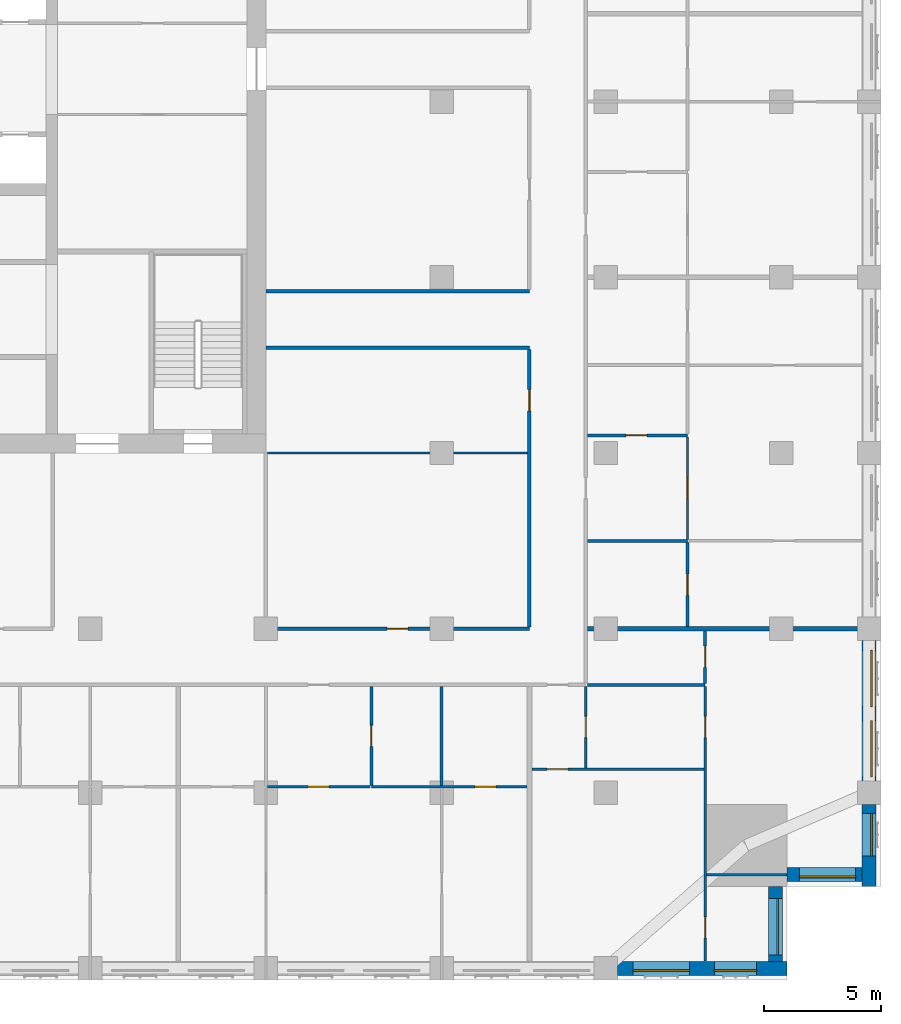
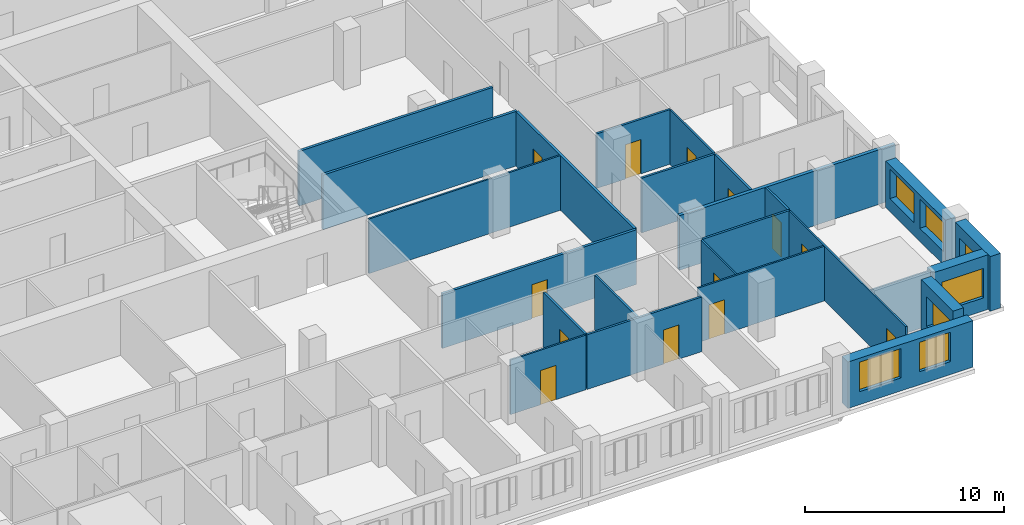
# One storey, part 6 of 13: 25 walls, 13 doors, 7 windows, 20 openings.
"""IFC4 building model written with IfcOpenShell, lengths in metres."""

from ifc_helpers import new_model, si_unit, direction, frame, frame_2d, origin, place, context, subcontext, project, spatial, rectangle, extrude, material, layer, layer_set, type_object, element, fill, save


model = new_model("IFC4")

# Units and contexts
model_context = context("Model", 3, precision=1e-05, world=origin(), true_north=direction((0.0, 1.0)))
body_context = subcontext(model_context, "Body", "Model", "MODEL_VIEW")
ifc_project = project(units=[si_unit("LENGTHUNIT", "METRE"), si_unit("AREAUNIT", "SQUARE_METRE"), si_unit("VOLUMEUNIT", "CUBIC_METRE"), si_unit("PLANEANGLEUNIT", "RADIAN"), si_unit("MASSUNIT", "GRAM", prefix="KILO")], contexts=[model_context])

# Site, building, storey
site_placement = place(None, origin())
site = spatial("IfcSite", under=ifc_project, at=site_placement, CompositionType="ELEMENT")
building_placement = place(site_placement, origin())
building = spatial("IfcBuilding", under=site, at=building_placement, Name="Tamorin Gate", CompositionType="ELEMENT")
storey_placement = place(building_placement, frame((0.0, 0.0, 130.199951171875)))
storey = spatial("IfcBuildingStorey", under=building, at=storey_placement, Name="L31", CompositionType="ELEMENT", Elevation=130.199951171875)

# Wall, openings, windows
ifc_material_1 = material(Name="Precast concrete C40/50", Category="concrete")
ifc_layer_1 = layer(ifc_material_1, 0.60009765625)
ifc_layer_set_1 = layer_set([ifc_layer_1], Name="Precast concrete C40/50")
wall_type_1 = type_object("IfcWallType", Name="Board-marked concrete facade panel 600", PredefinedType="SOLIDWALL", material=ifc_layer_set_1)
wall_1_placement = place(storey_placement, frame((75.0, 38.0, 0.0), z_axis=(0.0, 0.0, 1.0), x_axis=(1.0, 0.0, 0.0)))
wall_1 = element("IfcWall", 1, at=wall_1_placement, inside=storey, type_object=wall_type_1, Name="Facade panel", PredefinedType="SOLIDWALL", context=body_context, shape_type="SweptSolid", body=[
    extrude(rectangle(XDim=7.25, YDim=0.60009765625, at=frame_2d((3.625, 0.0))), origin(), (0.0, 0.0, 1.0), 2.85009765625),
])
opening_1_placement = place(wall_1_placement, frame((0.675048828125, 0.0, 0.800048828125)))
opening_1 = element("IfcOpeningElement", 2, at=opening_1_placement, cuts=wall_1, Name="Opening WN1", PredefinedType="OPENING", context=body_context, shape_type="SweptSolid", body=[
    extrude(rectangle(XDim=2.39990234375, YDim=1.800048828125, at=frame_2d((1.199951171875, 0.89990234375))), frame((0.0, 0.31005859375, 0.0), z_axis=(0.0, -1.0, 0.0), x_axis=(1.0, 0.0, 0.0)), (0.0, 0.0, 1.0), 0.6201171875),
])
opening_2_placement = place(wall_1_placement, frame((4.14990234375, 0.0, 0.800048828125)))
opening_2 = element("IfcOpeningElement", 3, at=opening_2_placement, cuts=wall_1, Name="Opening WN2", PredefinedType="OPENING", context=body_context, shape_type="SweptSolid", body=[
    extrude(rectangle(XDim=1.800048828125, YDim=1.800048828125, at=frame_2d((0.89990234375, 0.89990234375))), frame((0.0, 0.31005859375, 0.0), z_axis=(0.0, -1.0, 0.0), x_axis=(1.0, 0.0, 0.0)), (0.0, 0.0, 1.0), 0.6201171875),
])
ifc_material_2 = material(Name="Clear glass in aluminium frame", Category="aluminium")
window_type_1 = type_object("IfcWindowType", Name="Deep-set window 1800x1800", PartitioningType="SINGLE_PANEL", PredefinedType="WINDOW", material=ifc_material_2)
window_1_placement = place(opening_2_placement, origin())
window_1 = element("IfcWindow", 4, at=window_1_placement, inside=storey, type_object=window_type_1, Name="Deep-set window", OverallHeight=1.800048828125, OverallWidth=1.800048828125, PartitioningType="SINGLE_PANEL", PredefinedType="WINDOW", context=body_context, shape_type="SweptSolid", body=[
    extrude(rectangle(XDim=1.800048828125, YDim=1.800048828125, at=frame_2d((0.89990234375, 0.89990234375))), frame((0.0, -0.070068359375, 0.0), z_axis=(0.0, -1.0, 0.0), x_axis=(1.0, 0.0, 0.0)), (0.0, 0.0, 1.0), 0.06005859375),
])
fill(opening_2, window_1)
window_type_2 = type_object("IfcWindowType", Name="Deep-set window 2400x1800", PartitioningType="SINGLE_PANEL", PredefinedType="WINDOW", material=ifc_material_2)
window_2_placement = place(opening_1_placement, origin())
window_2 = element("IfcWindow", 5, at=window_2_placement, inside=storey, type_object=window_type_2, Name="Deep-set window", OverallHeight=1.800048828125, OverallWidth=2.39990234375, PartitioningType="SINGLE_PANEL", PredefinedType="WINDOW", context=body_context, shape_type="SweptSolid", body=[
    extrude(rectangle(XDim=2.39990234375, YDim=1.800048828125, at=frame_2d((1.199951171875, 0.89990234375))), frame((0.0, -0.070068359375, 0.0), z_axis=(0.0, -1.0, 0.0), x_axis=(1.0, 0.0, 0.0)), (0.0, 0.0, 1.0), 0.06005859375),
])
fill(opening_1, window_2)

# Wall, opening, window
wall_2_placement = place(storey_placement, frame((81.75, 38.300048828125, 0.0), z_axis=(0.0, 0.0, 1.0), x_axis=(0.0, 1.0, 0.0)))
wall_2 = element("IfcWall", 6, at=wall_2_placement, inside=storey, type_object=wall_type_1, Name="Facade panel", PredefinedType="SOLIDWALL", context=body_context, shape_type="SweptSolid", body=[
    extrude(rectangle(XDim=3.199951171875, YDim=0.60009765625, at=frame_2d((1.60009765625, 0.0))), origin(), (0.0, 0.0, 1.0), 3.35009765625),
])
opening_3_placement = place(wall_2_placement, frame((0.27490234375, 0.0, 0.800048828125)))
opening_3 = element("IfcOpeningElement", 7, at=opening_3_placement, cuts=wall_2, Name="Opening WN1", PredefinedType="OPENING", context=body_context, shape_type="SweptSolid", body=[
    extrude(rectangle(XDim=2.39990234375, YDim=1.800048828125, at=frame_2d((1.199951171875, 0.89990234375))), frame((0.0, 0.31005859375, 0.0), z_axis=(0.0, -1.0, 0.0), x_axis=(1.0, 0.0, 0.0)), (0.0, 0.0, 1.0), 0.6201171875),
])
window_3_placement = place(opening_3_placement, origin())
window_3 = element("IfcWindow", 8, at=window_3_placement, inside=storey, type_object=window_type_2, Name="Deep-set window", OverallHeight=1.800048828125, OverallWidth=2.39990234375, PartitioningType="SINGLE_PANEL", PredefinedType="WINDOW", context=body_context, shape_type="SweptSolid", body=[
    extrude(rectangle(XDim=2.39990234375, YDim=1.800048828125, at=frame_2d((1.199951171875, 0.89990234375))), frame((0.0, -0.070068359375, 0.0), z_axis=(0.0, -1.0, 0.0), x_axis=(1.0, 0.0, 0.0)), (0.0, 0.0, 1.0), 0.06005859375),
])
fill(opening_3, window_3)

wall_3_placement = place(storey_placement, frame((82.25, 42.0, 0.0), z_axis=(0.0, 0.0, 1.0), x_axis=(1.0, 0.0, 0.0)))
wall_3 = element("IfcWall", 9, at=wall_3_placement, inside=storey, type_object=wall_type_1, Name="Facade panel", PredefinedType="SOLIDWALL", context=body_context, shape_type="SweptSolid", body=[
    extrude(rectangle(XDim=3.199951171875, YDim=0.60009765625, at=frame_2d((1.60009765625, 0.0))), origin(), (0.0, 0.0, 1.0), 3.35009765625),
])
opening_4_placement = place(wall_3_placement, frame((0.52490234375, 0.0, 0.800048828125)))
opening_4 = element("IfcOpeningElement", 10, at=opening_4_placement, cuts=wall_3, Name="Opening WN1", PredefinedType="OPENING", context=body_context, shape_type="SweptSolid", body=[
    extrude(rectangle(XDim=2.39990234375, YDim=1.800048828125, at=frame_2d((1.199951171875, 0.89990234375))), frame((0.0, 0.31005859375, 0.0), z_axis=(0.0, -1.0, 0.0), x_axis=(1.0, 0.0, 0.0)), (0.0, 0.0, 1.0), 0.6201171875),
])
window_4_placement = place(opening_4_placement, origin())
window_4 = element("IfcWindow", 11, at=window_4_placement, inside=storey, type_object=window_type_2, Name="Deep-set window", OverallHeight=1.800048828125, OverallWidth=2.39990234375, PartitioningType="SINGLE_PANEL", PredefinedType="WINDOW", context=body_context, shape_type="SweptSolid", body=[
    extrude(rectangle(XDim=2.39990234375, YDim=1.800048828125, at=frame_2d((1.199951171875, 0.89990234375))), frame((0.0, -0.070068359375, 0.0), z_axis=(0.0, -1.0, 0.0), x_axis=(1.0, 0.0, 0.0)), (0.0, 0.0, 1.0), 0.06005859375),
])
fill(opening_4, window_4)

wall_4_placement = place(storey_placement, frame((85.75, 41.5, 0.0), z_axis=(0.0, 0.0, 1.0), x_axis=(0.0, 1.0, 0.0)))
wall_4 = element("IfcWall", 12, at=wall_4_placement, inside=storey, type_object=wall_type_1, Name="Facade panel", PredefinedType="SOLIDWALL", context=body_context, shape_type="SweptSolid", body=[
    extrude(rectangle(XDim=3.5, YDim=0.60009765625, at=frame_2d((1.75, 0.0))), origin(), (0.0, 0.0, 1.0), 3.35009765625),
])
opening_5_placement = place(wall_4_placement, frame((1.300048828125, 0.0, 0.800048828125)))
opening_5 = element("IfcOpeningElement", 13, at=opening_5_placement, cuts=wall_4, Name="Opening WN2", PredefinedType="OPENING", context=body_context, shape_type="SweptSolid", body=[
    extrude(rectangle(XDim=1.800048828125, YDim=1.800048828125, at=frame_2d((0.89990234375, 0.89990234375))), frame((0.0, 0.31005859375, 0.0), z_axis=(0.0, -1.0, 0.0), x_axis=(1.0, 0.0, 0.0)), (0.0, 0.0, 1.0), 0.6201171875),
])
window_5_placement = place(opening_5_placement, origin())
window_5 = element("IfcWindow", 14, at=window_5_placement, inside=storey, type_object=window_type_1, Name="Deep-set window", OverallHeight=1.800048828125, OverallWidth=1.800048828125, PartitioningType="SINGLE_PANEL", PredefinedType="WINDOW", context=body_context, shape_type="SweptSolid", body=[
    extrude(rectangle(XDim=1.800048828125, YDim=1.800048828125, at=frame_2d((0.89990234375, 0.89990234375))), frame((0.0, -0.070068359375, 0.0), z_axis=(0.0, -1.0, 0.0), x_axis=(1.0, 0.0, 0.0)), (0.0, 0.0, 1.0), 0.06005859375),
])
fill(opening_5, window_5)

# Wall, openings, windows
wall_5_placement = place(storey_placement, frame((85.75, 46.0, 0.0), z_axis=(0.0, 0.0, 1.0), x_axis=(0.0, 1.0, 0.0)))
wall_5 = element("IfcWall", 15, at=wall_5_placement, inside=storey, type_object=wall_type_1, Name="Facade panel", PredefinedType="SOLIDWALL", context=body_context, shape_type="SweptSolid", body=[
    extrude(rectangle(XDim=6.0, YDim=0.60009765625, at=frame_2d((3.0, 0.0))), origin(), (0.0, 0.0, 1.0), 2.85009765625),
])
opening_6_placement = place(wall_5_placement, frame((0.175048828125, 0.0, 0.800048828125)))
opening_6 = element("IfcOpeningElement", 16, at=opening_6_placement, cuts=wall_5, Name="Opening WN1", PredefinedType="OPENING", context=body_context, shape_type="SweptSolid", body=[
    extrude(rectangle(XDim=2.39990234375, YDim=1.800048828125, at=frame_2d((1.199951171875, 0.89990234375))), frame((0.0, 0.31005859375, 0.0), z_axis=(0.0, -1.0, 0.0), x_axis=(1.0, 0.0, 0.0)), (0.0, 0.0, 1.0), 0.6201171875),
])
opening_7_placement = place(wall_5_placement, frame((3.175048828125, 0.0, 0.800048828125)))
opening_7 = element("IfcOpeningElement", 17, at=opening_7_placement, cuts=wall_5, Name="Opening WN1", PredefinedType="OPENING", context=body_context, shape_type="SweptSolid", body=[
    extrude(rectangle(XDim=2.39990234375, YDim=1.800048828125, at=frame_2d((1.199951171875, 0.89990234375))), frame((0.0, 0.31005859375, 0.0), z_axis=(0.0, -1.0, 0.0), x_axis=(1.0, 0.0, 0.0)), (0.0, 0.0, 1.0), 0.6201171875),
])
window_6_placement = place(opening_6_placement, origin())
window_6 = element("IfcWindow", 18, at=window_6_placement, inside=storey, type_object=window_type_2, Name="Deep-set window", OverallHeight=1.800048828125, OverallWidth=2.39990234375, PartitioningType="SINGLE_PANEL", PredefinedType="WINDOW", context=body_context, shape_type="SweptSolid", body=[
    extrude(rectangle(XDim=2.39990234375, YDim=1.800048828125, at=frame_2d((1.199951171875, 0.89990234375))), frame((0.0, -0.070068359375, 0.0), z_axis=(0.0, -1.0, 0.0), x_axis=(1.0, 0.0, 0.0)), (0.0, 0.0, 1.0), 0.06005859375),
])
fill(opening_6, window_6)
window_7_placement = place(opening_7_placement, origin())
window_7 = element("IfcWindow", 19, at=window_7_placement, inside=storey, type_object=window_type_2, Name="Deep-set window", OverallHeight=1.800048828125, OverallWidth=2.39990234375, PartitioningType="SINGLE_PANEL", PredefinedType="WINDOW", context=body_context, shape_type="SweptSolid", body=[
    extrude(rectangle(XDim=2.39990234375, YDim=1.800048828125, at=frame_2d((1.199951171875, 0.89990234375))), frame((0.0, -0.070068359375, 0.0), z_axis=(0.0, -1.0, 0.0), x_axis=(1.0, 0.0, 0.0)), (0.0, 0.0, 1.0), 0.06005859375),
])
fill(opening_7, window_7)

# Wall, opening, door
ifc_material_3 = material(Name="Gypsum board partition")
ifc_layer_2 = layer(ifc_material_3, 0.14990234375)
ifc_layer_set_2 = layer_set([ifc_layer_2], Name="Corridor wall 150")
wall_type_2 = type_object("IfcWallType", Name="Corridor wall 150", PredefinedType="PARTITIONING", material=ifc_layer_set_2)
wall_6_placement = place(storey_placement, frame((60.0, 52.5, 0.0), z_axis=(0.0, 0.0, 1.0), x_axis=(1.0, 0.0, 0.0)))
wall_6 = element("IfcWall", 20, at=wall_6_placement, inside=storey, type_object=wall_type_2, Name="Corridor wall 150", PredefinedType="PARTITIONING", context=body_context, shape_type="SweptSolid", body=[
    extrude(rectangle(XDim=11.25, YDim=0.14990234375, at=frame_2d((5.625, 0.0))), origin(), (0.0, 0.0, 1.0), 3.35009765625),
])
opening_8_placement = place(wall_6_placement, frame((5.175048828125, 0.0, 0.0)))
opening_8 = element("IfcOpeningElement", 21, at=opening_8_placement, cuts=wall_6, Name="Opening DS1066", PredefinedType="OPENING", context=body_context, shape_type="SweptSolid", body=[
    extrude(rectangle(XDim=0.89990234375, YDim=2.10009765625, at=frame_2d((0.449951171875, 1.050048828125))), frame((0.0, 0.0849609375, 0.0), z_axis=(0.0, -1.0, 0.0), x_axis=(1.0, 0.0, 0.0)), (0.0, 0.0, 1.0), 0.169921875),
])
ifc_material_4 = material(Name="Timber door leaf", Category="wood")
door_type_1 = type_object("IfcDoorType", Name="Door 900 x 2100 FD30S", OperationType="NOTDEFINED", PredefinedType="DOOR", material=ifc_material_4)
door_1_placement = place(opening_8_placement, origin())
door_1 = element("IfcDoor", 22, at=door_1_placement, inside=storey, type_object=door_type_1, Name="Door DS1066", OperationType="SINGLE_SWING_LEFT", OverallHeight=2.10009765625, OverallWidth=0.89990234375, PredefinedType="DOOR", context=body_context, shape_type="SweptSolid", body=[
    extrude(rectangle(XDim=0.89990234375, YDim=2.10009765625, at=frame_2d((0.449951171875, 1.050048828125))), frame((0.0, 0.02490234375, 0.0), z_axis=(0.0, -1.0, 0.0), x_axis=(1.0, 0.0, 0.0)), (0.0, 0.0, 1.0), 0.050048828125),
])
fill(opening_8, door_1)

wall_7_placement = place(storey_placement, frame((71.25, 52.574951171875, 0.0), z_axis=(0.0, 0.0, 1.0), x_axis=(0.0, 1.0, 0.0)))
wall_7 = element("IfcWall", 23, at=wall_7_placement, inside=storey, type_object=wall_type_2, Name="Corridor wall 150", PredefinedType="PARTITIONING", context=body_context, shape_type="SweptSolid", body=[
    extrude(rectangle(XDim=11.85009765625, YDim=0.14990234375, at=frame_2d((5.925048828125, 0.0))), origin(), (0.0, 0.0, 1.0), 3.35009765625),
])
opening_9_placement = place(wall_7_placement, frame((9.22509765625, 0.0, 0.0)))
opening_9 = element("IfcOpeningElement", 24, at=opening_9_placement, cuts=wall_7, Name="Opening DS1070", PredefinedType="OPENING", context=body_context, shape_type="SweptSolid", body=[
    extrude(rectangle(XDim=0.89990234375, YDim=2.10009765625, at=frame_2d((0.449951171875, 1.050048828125))), frame((0.0, 0.0849609375, 0.0), z_axis=(0.0, -1.0, 0.0), x_axis=(1.0, 0.0, 0.0)), (0.0, 0.0, 1.0), 0.169921875),
])
door_2_placement = place(opening_9_placement, origin())
door_2 = element("IfcDoor", 25, at=door_2_placement, inside=storey, type_object=door_type_1, Name="Door DS1070", OperationType="SINGLE_SWING_LEFT", OverallHeight=2.10009765625, OverallWidth=0.89990234375, PredefinedType="DOOR", context=body_context, shape_type="SweptSolid", body=[
    extrude(rectangle(XDim=0.89990234375, YDim=2.10009765625, at=frame_2d((0.449951171875, 1.050048828125))), frame((0.0, 0.02490234375, 0.0), z_axis=(0.0, -1.0, 0.0), x_axis=(1.0, 0.0, 0.0)), (0.0, 0.0, 1.0), 0.050048828125),
])
fill(opening_9, door_2)

# Walls
ifc_layer_3 = layer(ifc_material_3, 0.199951171875)
ifc_layer_set_3 = layer_set([ifc_layer_3], Name="Demising wall 200")
wall_type_3 = type_object("IfcWallType", Name="Demising wall 200", PredefinedType="PARTITIONING", material=ifc_layer_set_3)
wall_8_placement = place(storey_placement, frame((73.72509765625, 52.5, 0.0), z_axis=(0.0, 0.0, 1.0), x_axis=(1.0, 0.0, 0.0)))
element("IfcWall", 26, at=wall_8_placement, inside=storey, type_object=wall_type_3, Name="Demising wall 200", PredefinedType="PARTITIONING", context=body_context, shape_type="SweptSolid", body=[
    extrude(rectangle(XDim=12.52490234375, YDim=0.199951171875, at=frame_2d((6.262451171875, 0.0))), origin(), (0.0, 0.0, 1.0), 3.35009765625),
])
ifc_layer_4 = layer(ifc_material_3, 0.14990234375)
ifc_layer_set_4 = layer_set([ifc_layer_4], Name="Lobby wall 150")
wall_type_4 = type_object("IfcWallType", Name="Lobby wall 150", PredefinedType="PARTITIONING", material=ifc_layer_set_4)
for number, where, z_axis, x_axis, name in (
    (27, (60.0, 64.5, 0.0), (0.0, 0.0, 1.0), (1.0, 0.0, 0.0), "Lobby wall 150"),
    (28, (60.0, 66.89990234375, 0.0), (0.0, 0.0, 1.0), (1.0, 0.0, 0.0), "Lobby wall 150"),
):
    element("IfcWall", number, at=place(storey_placement, frame(where, z_axis=z_axis, x_axis=x_axis)), inside=storey, type_object=wall_type_4, Name=name, PredefinedType="PARTITIONING", context=body_context, shape_type="SweptSolid", body=[
        extrude(rectangle(XDim=11.25, YDim=0.14990234375, at=frame_2d((5.625, 0.0))), origin(), (0.0, 0.0, 1.0), 3.35009765625),
    ])
ifc_layer_5 = layer(ifc_material_3, 0.10009765625)
ifc_layer_set_5 = layer_set([ifc_layer_5], Name="Room partition 100")
wall_type_5 = type_object("IfcWallType", Name="Room partition 100", PredefinedType="PARTITIONING", material=ifc_layer_set_5)
wall_9_placement = place(storey_placement, frame((78.800048828125, 42.0, 0.0), z_axis=(0.0, 0.0, 1.0), x_axis=(1.0, 0.0, 0.0)))
element("IfcWall", 29, at=wall_9_placement, inside=storey, type_object=wall_type_5, Name="Room partition 100", PredefinedType="PARTITIONING", context=body_context, shape_type="SweptSolid", body=[
    extrude(rectangle(XDim=3.43994140625, YDim=0.10009765625, at=frame_2d((1.719970703125, 0.0))), origin(), (0.0, 0.0, 1.0), 3.35009765625),
])

# Wall, opening, door
wall_10_placement = place(storey_placement, frame((60.0625, 45.75, 0.0), z_axis=(0.0, 0.0, 1.0), x_axis=(1.0, 0.0, 0.0)))
wall_10 = element("IfcWall", 30, at=wall_10_placement, inside=storey, type_object=wall_type_5, Name="Room partition 100", PredefinedType="PARTITIONING", context=body_context, shape_type="SweptSolid", body=[
    extrude(rectangle(XDim=4.375, YDim=0.10009765625, at=frame_2d((2.1875, 0.0))), origin(), (0.0, 0.0, 1.0), 3.35009765625),
])
opening_10_placement = place(wall_10_placement, frame((1.737548828125, 0.0, 0.0)))
opening_10 = element("IfcOpeningElement", 31, at=opening_10_placement, cuts=wall_10, Name="Opening DS1014", PredefinedType="OPENING", context=body_context, shape_type="SweptSolid", body=[
    extrude(rectangle(XDim=0.89990234375, YDim=2.10009765625, at=frame_2d((0.449951171875, 1.050048828125))), frame((0.0, 0.06005859375, 0.0), z_axis=(0.0, -1.0, 0.0), x_axis=(1.0, 0.0, 0.0)), (0.0, 0.0, 1.0), 0.1201171875),
])
door_type_2 = type_object("IfcDoorType", Name="Door 900 x 2100", OperationType="NOTDEFINED", PredefinedType="DOOR", material=ifc_material_4)
door_3_placement = place(opening_10_placement, origin())
door_3 = element("IfcDoor", 32, at=door_3_placement, inside=storey, type_object=door_type_2, Name="Door DS1014", OperationType="SINGLE_SWING_LEFT", OverallHeight=2.10009765625, OverallWidth=0.89990234375, PredefinedType="DOOR", context=body_context, shape_type="SweptSolid", body=[
    extrude(rectangle(XDim=0.89990234375, YDim=2.10009765625, at=frame_2d((0.449951171875, 1.050048828125))), frame((0.0, 0.02490234375, 0.0), z_axis=(0.0, -1.0, 0.0), x_axis=(1.0, 0.0, 0.0)), (0.0, 0.0, 1.0), 0.050048828125),
])
fill(opening_10, door_3)

wall_11_placement = place(storey_placement, frame((71.35009765625, 46.5, 0.0), z_axis=(0.0, 0.0, 1.0), x_axis=(1.0, 0.0, 0.0)))
wall_11 = element("IfcWall", 33, at=wall_11_placement, inside=storey, type_object=wall_type_5, Name="Room partition 100", PredefinedType="PARTITIONING", context=body_context, shape_type="SweptSolid", body=[
    extrude(rectangle(XDim=7.349853515625, YDim=0.10009765625, at=frame_2d((3.6748046875, 0.0))), origin(), (0.0, 0.0, 1.0), 3.35009765625),
])
opening_11_placement = place(wall_11_placement, frame((0.64990234375, 0.0, 0.0)))
opening_11 = element("IfcOpeningElement", 34, at=opening_11_placement, cuts=wall_11, Name="Opening DS1052", PredefinedType="OPENING", context=body_context, shape_type="SweptSolid", body=[
    extrude(rectangle(XDim=0.89990234375, YDim=2.10009765625, at=frame_2d((0.449951171875, 1.050048828125))), frame((0.0, 0.06005859375, 0.0), z_axis=(0.0, -1.0, 0.0), x_axis=(1.0, 0.0, 0.0)), (0.0, 0.0, 1.0), 0.1201171875),
])
door_4_placement = place(opening_11_placement, origin())
door_4 = element("IfcDoor", 35, at=door_4_placement, inside=storey, type_object=door_type_2, Name="Door DS1052", OperationType="SINGLE_SWING_RIGHT", OverallHeight=2.10009765625, OverallWidth=0.89990234375, PredefinedType="DOOR", context=body_context, shape_type="SweptSolid", body=[
    extrude(rectangle(XDim=0.89990234375, YDim=2.10009765625, at=frame_2d((0.449951171875, 1.050048828125))), frame((0.0, 0.02490234375, 0.0), z_axis=(0.0, -1.0, 0.0), x_axis=(1.0, 0.0, 0.0)), (0.0, 0.0, 1.0), 0.050048828125),
])
fill(opening_11, door_4)

# Wall
wall_12_placement = place(storey_placement, frame((60.074951171875, 60.0, 0.0), z_axis=(0.0, 0.0, 1.0), x_axis=(1.0, 0.0, 0.0)))
element("IfcWall", 36, at=wall_12_placement, inside=storey, type_object=wall_type_5, Name="Room partition 100", PredefinedType="PARTITIONING", context=body_context, shape_type="SweptSolid", body=[
    extrude(rectangle(XDim=11.10009765625, YDim=0.10009765625, at=frame_2d((5.550048828125, 0.0))), origin(), (0.0, 0.0, 1.0), 3.35009765625),
])

# Wall, opening, door
wall_13_placement = place(storey_placement, frame((73.64990234375, 46.550048828125, 0.0), z_axis=(0.0, 0.0, 1.0), x_axis=(0.0, 1.0, 0.0)))
wall_13 = element("IfcWall", 37, at=wall_13_placement, inside=storey, type_object=wall_type_5, Name="Room partition 100", PredefinedType="PARTITIONING", context=body_context, shape_type="SweptSolid", body=[
    extrude(rectangle(XDim=3.474853515625, YDim=0.10009765625, at=frame_2d((1.7373046875, 0.0))), origin(), (0.0, 0.0, 1.0), 3.35009765625),
])
opening_12_placement = place(wall_13_placement, frame((1.300048828125, 0.0, 0.0)))
opening_12 = element("IfcOpeningElement", 38, at=opening_12_placement, cuts=wall_13, Name="Opening DS1053", PredefinedType="OPENING", context=body_context, shape_type="SweptSolid", body=[
    extrude(rectangle(XDim=0.89990234375, YDim=2.10009765625, at=frame_2d((0.449951171875, 1.050048828125))), frame((0.0, 0.06005859375, 0.0), z_axis=(0.0, -1.0, 0.0), x_axis=(1.0, 0.0, 0.0)), (0.0, 0.0, 1.0), 0.1201171875),
])
door_5_placement = place(opening_12_placement, origin())
door_5 = element("IfcDoor", 39, at=door_5_placement, inside=storey, type_object=door_type_2, Name="Door DS1053", OperationType="SINGLE_SWING_RIGHT", OverallHeight=2.10009765625, OverallWidth=0.89990234375, PredefinedType="DOOR", context=body_context, shape_type="SweptSolid", body=[
    extrude(rectangle(XDim=0.89990234375, YDim=2.10009765625, at=frame_2d((0.449951171875, 1.050048828125))), frame((0.0, 0.02490234375, 0.0), z_axis=(0.0, -1.0, 0.0), x_axis=(1.0, 0.0, 0.0)), (0.0, 0.0, 1.0), 0.050048828125),
])
fill(opening_12, door_5)

wall_14_placement = place(storey_placement, frame((78.0, 56.3125, 0.0), z_axis=(0.0, 0.0, 1.0), x_axis=(0.0, 1.0, 0.0)))
wall_14 = element("IfcWall", 40, at=wall_14_placement, inside=storey, type_object=wall_type_5, Name="Room partition 100", PredefinedType="PARTITIONING", context=body_context, shape_type="SweptSolid", body=[
    extrude(rectangle(XDim=4.375, YDim=0.10009765625, at=frame_2d((2.1875, 0.0))), origin(), (0.0, 0.0, 1.0), 3.35009765625),
])
opening_13_placement = place(wall_14_placement, frame((1.737548828125, 0.0, 0.0)))
opening_13 = element("IfcOpeningElement", 41, at=opening_13_placement, cuts=wall_14, Name="Opening DS1038", PredefinedType="OPENING", context=body_context, shape_type="SweptSolid", body=[
    extrude(rectangle(XDim=0.89990234375, YDim=2.10009765625, at=frame_2d((0.449951171875, 1.050048828125))), frame((0.0, 0.06005859375, 0.0), z_axis=(0.0, -1.0, 0.0), x_axis=(1.0, 0.0, 0.0)), (0.0, 0.0, 1.0), 0.1201171875),
])
door_6_placement = place(opening_13_placement, origin())
door_6 = element("IfcDoor", 42, at=door_6_placement, inside=storey, type_object=door_type_2, Name="Door DS1038", OperationType="SINGLE_SWING_LEFT", OverallHeight=2.10009765625, OverallWidth=0.89990234375, PredefinedType="DOOR", context=body_context, shape_type="SweptSolid", body=[
    extrude(rectangle(XDim=0.89990234375, YDim=2.10009765625, at=frame_2d((0.449951171875, 1.050048828125))), frame((0.0, 0.02490234375, 0.0), z_axis=(0.0, -1.0, 0.0), x_axis=(1.0, 0.0, 0.0)), (0.0, 0.0, 1.0), 0.050048828125),
])
fill(opening_13, door_6)

# Wall, openings, doors
wall_15_placement = place(storey_placement, frame((78.75, 38.31005859375, 0.0), z_axis=(0.0, 0.0, 1.0), x_axis=(0.0, 1.0, 0.0)))
wall_15 = element("IfcWall", 43, at=wall_15_placement, inside=storey, type_object=wall_type_5, Name="Room partition 100", PredefinedType="PARTITIONING", context=body_context, shape_type="SweptSolid", body=[
    extrude(rectangle(XDim=11.7275390625, YDim=0.10009765625, at=frame_2d((5.86376953125, 0.0))), origin(), (0.0, 0.0, 1.0), 3.35009765625),
])
opening_14_placement = place(wall_15_placement, frame((0.989990234375, 0.0, 0.0)))
opening_14 = element("IfcOpeningElement", 44, at=opening_14_placement, cuts=wall_15, Name="Opening DS1054", PredefinedType="OPENING", context=body_context, shape_type="SweptSolid", body=[
    extrude(rectangle(XDim=0.89990234375, YDim=2.10009765625, at=frame_2d((0.449951171875, 1.050048828125))), frame((0.0, 0.06005859375, 0.0), z_axis=(0.0, -1.0, 0.0), x_axis=(1.0, 0.0, 0.0)), (0.0, 0.0, 1.0), 0.1201171875),
])
opening_15_placement = place(wall_15_placement, frame((9.5400390625, 0.0, 0.0)))
opening_15 = element("IfcOpeningElement", 45, at=opening_15_placement, cuts=wall_15, Name="Opening DS1055", PredefinedType="OPENING", context=body_context, shape_type="SweptSolid", body=[
    extrude(rectangle(XDim=0.89990234375, YDim=2.10009765625, at=frame_2d((0.449951171875, 1.050048828125))), frame((0.0, 0.06005859375, 0.0), z_axis=(0.0, -1.0, 0.0), x_axis=(1.0, 0.0, 0.0)), (0.0, 0.0, 1.0), 0.1201171875),
])
door_7_placement = place(opening_14_placement, origin())
door_7 = element("IfcDoor", 46, at=door_7_placement, inside=storey, type_object=door_type_2, Name="Door DS1054", OperationType="SINGLE_SWING_LEFT", OverallHeight=2.10009765625, OverallWidth=0.89990234375, PredefinedType="DOOR", context=body_context, shape_type="SweptSolid", body=[
    extrude(rectangle(XDim=0.89990234375, YDim=2.10009765625, at=frame_2d((0.449951171875, 1.050048828125))), frame((0.0, 0.02490234375, 0.0), z_axis=(0.0, -1.0, 0.0), x_axis=(1.0, 0.0, 0.0)), (0.0, 0.0, 1.0), 0.050048828125),
])
fill(opening_14, door_7)
door_8_placement = place(opening_15_placement, origin())
door_8 = element("IfcDoor", 47, at=door_8_placement, inside=storey, type_object=door_type_2, Name="Door DS1055", OperationType="SINGLE_SWING_RIGHT", OverallHeight=2.10009765625, OverallWidth=0.89990234375, PredefinedType="DOOR", context=body_context, shape_type="SweptSolid", body=[
    extrude(rectangle(XDim=0.89990234375, YDim=2.10009765625, at=frame_2d((0.449951171875, 1.050048828125))), frame((0.0, 0.02490234375, 0.0), z_axis=(0.0, -1.0, 0.0), x_axis=(1.0, 0.0, 0.0)), (0.0, 0.0, 1.0), 0.050048828125),
])
fill(opening_15, door_8)

# Wall, opening, door
ifc_layer_6 = layer(ifc_material_3, 0.125)
ifc_layer_set_6 = layer_set([ifc_layer_6], Name="Wet wall 125")
wall_type_6 = type_object("IfcWallType", Name="Wet wall 125", PredefinedType="PARTITIONING", material=ifc_layer_set_6)
wall_16_placement = place(storey_placement, frame((64.5, 45.75, 0.0), z_axis=(0.0, 0.0, 1.0), x_axis=(1.0, 0.0, 0.0)))
wall_16 = element("IfcWall", 48, at=wall_16_placement, inside=storey, type_object=wall_type_6, Name="Wet wall 125", PredefinedType="PARTITIONING", context=body_context, shape_type="SweptSolid", body=[
    extrude(rectangle(XDim=6.64990234375, YDim=0.125, at=frame_2d((3.324951171875, 0.0))), origin(), (0.0, 0.0, 1.0), 3.35009765625),
])
opening_16_placement = place(wall_16_placement, frame((4.425048828125, 0.0, 0.0)))
opening_16 = element("IfcOpeningElement", 49, at=opening_16_placement, cuts=wall_16, Name="Opening DS1016", PredefinedType="OPENING", context=body_context, shape_type="SweptSolid", body=[
    extrude(rectangle(XDim=0.89990234375, YDim=2.10009765625, at=frame_2d((0.449951171875, 1.050048828125))), frame((0.0, 0.072509765625, 0.0), z_axis=(0.0, -1.0, 0.0), x_axis=(1.0, 0.0, 0.0)), (0.0, 0.0, 1.0), 0.14501953125),
])
door_9_placement = place(opening_16_placement, origin())
door_9 = element("IfcDoor", 50, at=door_9_placement, inside=storey, type_object=door_type_2, Name="Door DS1016", OperationType="SINGLE_SWING_LEFT", OverallHeight=2.10009765625, OverallWidth=0.89990234375, PredefinedType="DOOR", context=body_context, shape_type="SweptSolid", body=[
    extrude(rectangle(XDim=0.89990234375, YDim=2.10009765625, at=frame_2d((0.449951171875, 1.050048828125))), frame((0.0, 0.02490234375, 0.0), z_axis=(0.0, -1.0, 0.0), x_axis=(1.0, 0.0, 0.0)), (0.0, 0.0, 1.0), 0.050048828125),
])
fill(opening_16, door_9)

# Walls
wall_17_placement = place(storey_placement, frame((73.72509765625, 50.10009765625, 0.0), z_axis=(0.0, 0.0, 1.0), x_axis=(1.0, 0.0, 0.0)))
element("IfcWall", 51, at=wall_17_placement, inside=storey, type_object=wall_type_6, Name="Wet wall 125", PredefinedType="PARTITIONING", context=body_context, shape_type="SweptSolid", body=[
    extrude(rectangle(XDim=5.02490234375, YDim=0.125, at=frame_2d((2.512451171875, 0.0))), origin(), (0.0, 0.0, 1.0), 3.35009765625),
])
wall_18_placement = place(storey_placement, frame((73.72509765625, 56.25, 0.0), z_axis=(0.0, 0.0, 1.0), x_axis=(1.0, 0.0, 0.0)))
element("IfcWall", 52, at=wall_18_placement, inside=storey, type_object=wall_type_6, Name="Wet wall 125", PredefinedType="PARTITIONING", context=body_context, shape_type="SweptSolid", body=[
    extrude(rectangle(XDim=4.27490234375, YDim=0.125, at=frame_2d((2.137451171875, 0.0))), origin(), (0.0, 0.0, 1.0), 3.35009765625),
])

# Wall, opening, door
wall_19_placement = place(storey_placement, frame((73.72509765625, 60.75, 0.0), z_axis=(0.0, 0.0, 1.0), x_axis=(1.0, 0.0, 0.0)))
wall_19 = element("IfcWall", 53, at=wall_19_placement, inside=storey, type_object=wall_type_6, Name="Wet wall 125", PredefinedType="PARTITIONING", context=body_context, shape_type="SweptSolid", body=[
    extrude(rectangle(XDim=4.27490234375, YDim=0.125, at=frame_2d((2.137451171875, 0.0))), origin(), (0.0, 0.0, 1.0), 3.35009765625),
])
opening_17_placement = place(wall_19_placement, frame((1.64990234375, 0.0, 0.0)))
opening_17 = element("IfcOpeningElement", 54, at=opening_17_placement, cuts=wall_19, Name="Opening DS1039", PredefinedType="OPENING", context=body_context, shape_type="SweptSolid", body=[
    extrude(rectangle(XDim=0.89990234375, YDim=2.10009765625, at=frame_2d((0.449951171875, 1.050048828125))), frame((0.0, 0.072509765625, 0.0), z_axis=(0.0, -1.0, 0.0), x_axis=(1.0, 0.0, 0.0)), (0.0, 0.0, 1.0), 0.14501953125),
])
door_10_placement = place(opening_17_placement, origin())
door_10 = element("IfcDoor", 55, at=door_10_placement, inside=storey, type_object=door_type_2, Name="Door DS1039", OperationType="SINGLE_SWING_RIGHT", OverallHeight=2.10009765625, OverallWidth=0.89990234375, PredefinedType="DOOR", context=body_context, shape_type="SweptSolid", body=[
    extrude(rectangle(XDim=0.89990234375, YDim=2.10009765625, at=frame_2d((0.449951171875, 1.050048828125))), frame((0.0, 0.02490234375, 0.0), z_axis=(0.0, -1.0, 0.0), x_axis=(1.0, 0.0, 0.0)), (0.0, 0.0, 1.0), 0.050048828125),
])
fill(opening_17, door_10)

wall_20_placement = place(storey_placement, frame((64.5, 45.8125, 0.0), z_axis=(0.0, 0.0, 1.0), x_axis=(0.0, 1.0, 0.0)))
wall_20 = element("IfcWall", 56, at=wall_20_placement, inside=storey, type_object=wall_type_6, Name="Wet wall 125", PredefinedType="PARTITIONING", context=body_context, shape_type="SweptSolid", body=[
    extrude(rectangle(XDim=4.21240234375, YDim=0.125, at=frame_2d((2.106201171875, 0.0))), origin(), (0.0, 0.0, 1.0), 3.35009765625),
])
opening_18_placement = place(wall_20_placement, frame((1.66259765625, 0.0, 0.0)))
opening_18 = element("IfcOpeningElement", 57, at=opening_18_placement, cuts=wall_20, Name="Opening DS1015", PredefinedType="OPENING", context=body_context, shape_type="SweptSolid", body=[
    extrude(rectangle(XDim=0.89990234375, YDim=2.10009765625, at=frame_2d((0.449951171875, 1.050048828125))), frame((0.0, 0.072509765625, 0.0), z_axis=(0.0, -1.0, 0.0), x_axis=(1.0, 0.0, 0.0)), (0.0, 0.0, 1.0), 0.14501953125),
])
door_11_placement = place(opening_18_placement, origin())
door_11 = element("IfcDoor", 58, at=door_11_placement, inside=storey, type_object=door_type_2, Name="Door DS1015", OperationType="SINGLE_SWING_LEFT", OverallHeight=2.10009765625, OverallWidth=0.89990234375, PredefinedType="DOOR", context=body_context, shape_type="SweptSolid", body=[
    extrude(rectangle(XDim=0.89990234375, YDim=2.10009765625, at=frame_2d((0.449951171875, 1.050048828125))), frame((0.0, 0.02490234375, 0.0), z_axis=(0.0, -1.0, 0.0), x_axis=(1.0, 0.0, 0.0)), (0.0, 0.0, 1.0), 0.050048828125),
])
fill(opening_18, door_11)

# Wall
wall_21_placement = place(storey_placement, frame((67.5, 45.8125, 0.0), z_axis=(0.0, 0.0, 1.0), x_axis=(0.0, 1.0, 0.0)))
element("IfcWall", 59, at=wall_21_placement, inside=storey, type_object=wall_type_6, Name="Wet wall 125", PredefinedType="PARTITIONING", context=body_context, shape_type="SweptSolid", body=[
    extrude(rectangle(XDim=4.21240234375, YDim=0.125, at=frame_2d((2.106201171875, 0.0))), origin(), (0.0, 0.0, 1.0), 3.35009765625),
])

# Wall, opening, door
wall_22_placement = place(storey_placement, frame((78.0, 52.60009765625, 0.0), z_axis=(0.0, 0.0, 1.0), x_axis=(0.0, 1.0, 0.0)))
wall_22 = element("IfcWall", 60, at=wall_22_placement, inside=storey, type_object=wall_type_6, Name="Wet wall 125", PredefinedType="PARTITIONING", context=body_context, shape_type="SweptSolid", body=[
    extrude(rectangle(XDim=3.58740234375, YDim=0.125, at=frame_2d((1.793701171875, 0.0))), origin(), (0.0, 0.0, 1.0), 3.35009765625),
])
opening_19_placement = place(wall_22_placement, frame((1.324951171875, 0.0, 0.0)))
opening_19 = element("IfcOpeningElement", 61, at=opening_19_placement, cuts=wall_22, Name="Opening DS1036", PredefinedType="OPENING", context=body_context, shape_type="SweptSolid", body=[
    extrude(rectangle(XDim=0.89990234375, YDim=2.10009765625, at=frame_2d((0.449951171875, 1.050048828125))), frame((0.0, 0.072509765625, 0.0), z_axis=(0.0, -1.0, 0.0), x_axis=(1.0, 0.0, 0.0)), (0.0, 0.0, 1.0), 0.14501953125),
])
door_12_placement = place(opening_19_placement, origin())
door_12 = element("IfcDoor", 62, at=door_12_placement, inside=storey, type_object=door_type_2, Name="Door DS1036", OperationType="SINGLE_SWING_LEFT", OverallHeight=2.10009765625, OverallWidth=0.89990234375, PredefinedType="DOOR", context=body_context, shape_type="SweptSolid", body=[
    extrude(rectangle(XDim=0.89990234375, YDim=2.10009765625, at=frame_2d((0.449951171875, 1.050048828125))), frame((0.0, 0.02490234375, 0.0), z_axis=(0.0, -1.0, 0.0), x_axis=(1.0, 0.0, 0.0)), (0.0, 0.0, 1.0), 0.050048828125),
])
fill(opening_19, door_12)

wall_23_placement = place(storey_placement, frame((78.75, 50.16259765625, 0.0), z_axis=(0.0, 0.0, 1.0), x_axis=(0.0, 1.0, 0.0)))
wall_23 = element("IfcWall", 63, at=wall_23_placement, inside=storey, type_object=wall_type_6, Name="Wet wall 125", PredefinedType="PARTITIONING", context=body_context, shape_type="SweptSolid", body=[
    extrude(rectangle(XDim=2.2373046875, YDim=0.125, at=frame_2d((1.11865234375, 0.0))), origin(), (0.0, 0.0, 1.0), 3.35009765625),
])
opening_20_placement = place(wall_23_placement, frame((0.6875, 0.0, 0.0)))
opening_20 = element("IfcOpeningElement", 64, at=opening_20_placement, cuts=wall_23, Name="Opening DS1056", PredefinedType="OPENING", context=body_context, shape_type="SweptSolid", body=[
    extrude(rectangle(XDim=0.89990234375, YDim=2.10009765625, at=frame_2d((0.449951171875, 1.050048828125))), frame((0.0, 0.072509765625, 0.0), z_axis=(0.0, -1.0, 0.0), x_axis=(1.0, 0.0, 0.0)), (0.0, 0.0, 1.0), 0.14501953125),
])
door_13_placement = place(opening_20_placement, origin())
door_13 = element("IfcDoor", 65, at=door_13_placement, inside=storey, type_object=door_type_2, Name="Door DS1056", OperationType="SINGLE_SWING_LEFT", OverallHeight=2.10009765625, OverallWidth=0.89990234375, PredefinedType="DOOR", context=body_context, shape_type="SweptSolid", body=[
    extrude(rectangle(XDim=0.89990234375, YDim=2.10009765625, at=frame_2d((0.449951171875, 1.050048828125))), frame((0.0, 0.02490234375, 0.0), z_axis=(0.0, -1.0, 0.0), x_axis=(1.0, 0.0, 0.0)), (0.0, 0.0, 1.0), 0.050048828125),
])
fill(opening_20, door_13)

save(model, "model.ifc")
